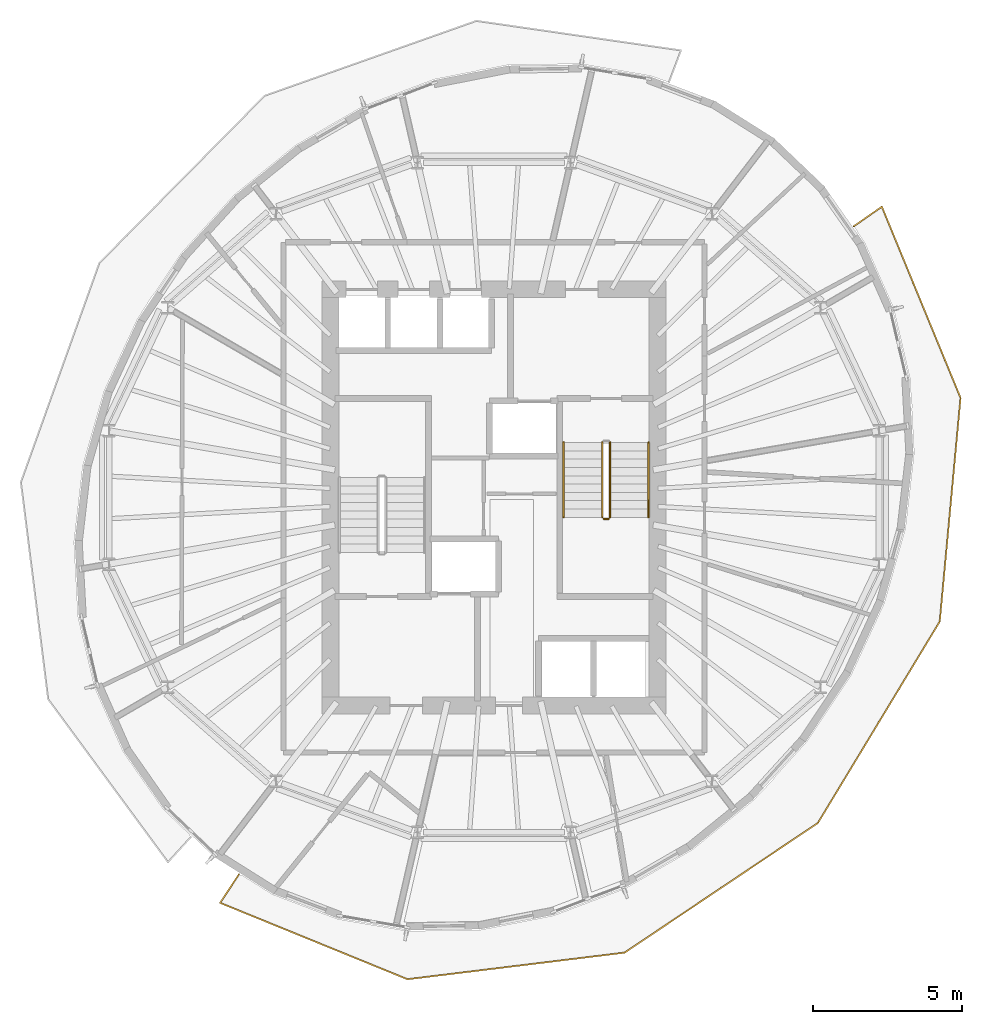
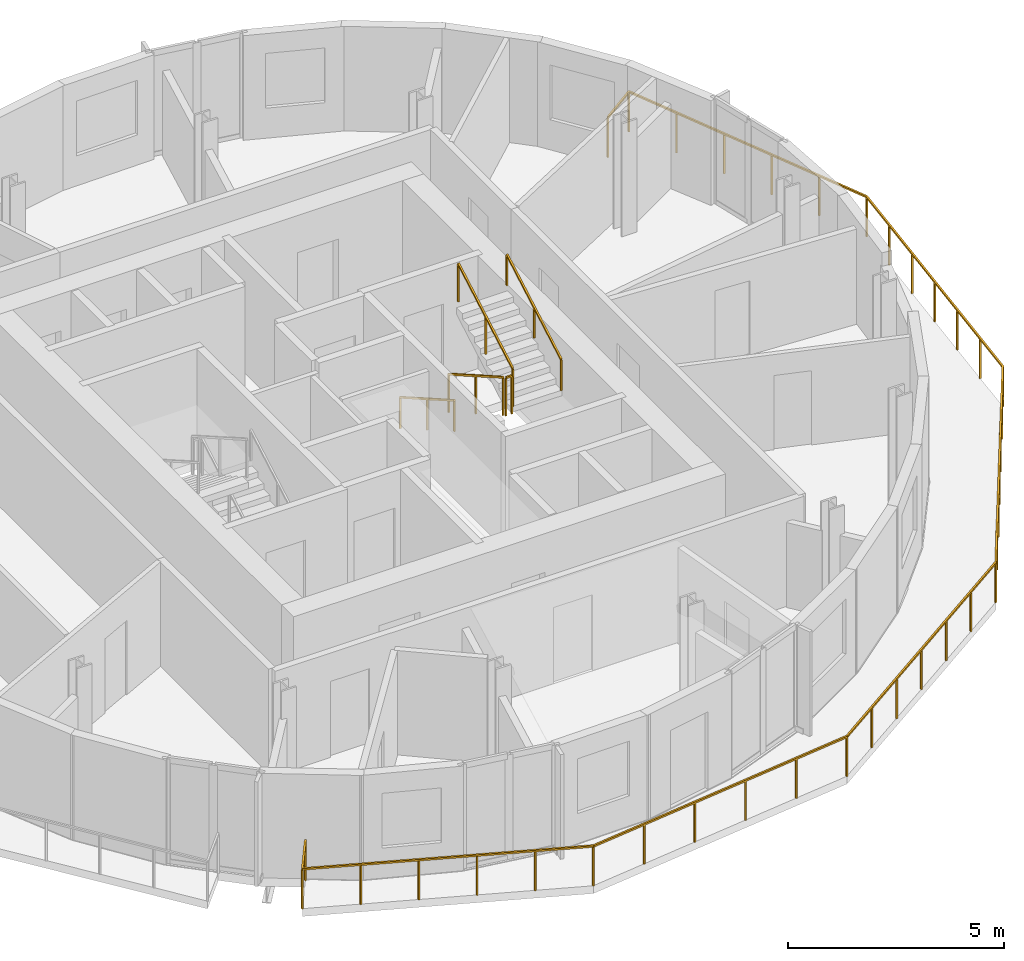
# One storey, part 9 of 11: 6 railings.
"""IFC4 building model written with IfcOpenShell, lengths in metres."""

from ifc_helpers import new_model, si_unit, direction, frame, origin, origin_2d, place, context, subcontext, project, spatial, rectangle, extrude, material, type_object, element, save


model = new_model("IFC4")

# Units and contexts
model_context = context("Model", 3, precision=1e-05, world=origin(), true_north=direction((0.0, 1.0)))
body_context = subcontext(model_context, "Body", "Model", "MODEL_VIEW")
ifc_project = project(units=[si_unit("LENGTHUNIT", "METRE"), si_unit("AREAUNIT", "SQUARE_METRE"), si_unit("VOLUMEUNIT", "CUBIC_METRE"), si_unit("PLANEANGLEUNIT", "RADIAN"), si_unit("MASSUNIT", "GRAM", prefix="KILO")], contexts=[model_context])

# Site, building, storey
site_placement = place(None, origin())
site = spatial("IfcSite", under=ifc_project, at=site_placement, CompositionType="ELEMENT")
building_placement = place(site_placement, origin())
building = spatial("IfcBuilding", under=site, at=building_placement, Name="Veldorim Arch Residences", CompositionType="ELEMENT")
storey_placement = place(building_placement, frame((0.0, 0.0, 207.840087890625)))
storey = spatial("IfcBuildingStorey", under=building, at=storey_placement, Name="L62", CompositionType="ELEMENT", Elevation=207.840087890625)

# Railings
ifc_material_1 = material(Name="Aluminium", Category="aluminium")
railing_type_1 = type_object("IfcRailingType", Name="Balcony & Terrace Laminated Glass Balustrade 1150", PredefinedType="BALUSTRADE", material=ifc_material_1)
railing_1_placement = place(storey_placement, frame((23.4189453125, 11.322021484375, 0.0)))
element("IfcRailing", 1, at=railing_1_placement, inside=storey, type_object=railing_type_1, Name="L62 crescent balcony safety balustrade B", PredefinedType="BALUSTRADE", context=body_context, shape_type="SweptSolid", body=[
    extrude(rectangle(XDim=0.048095703125, YDim=0.048095703125, at=origin_2d()), frame((0.0, 0.0, 1.1259765625), z_axis=(-0.552199056825, -0.833712301481, 0.0), x_axis=(0.833712301481, -0.552199056825, 0.0)), (0.0, 0.0, 1.0), 1.14990234375),
    extrude(rectangle(XDim=0.048095703125, YDim=0.048095703125, at=origin_2d()), frame((-0.635009765625, -0.958740234375, 1.1259765625), z_axis=(0.925988387631, -0.377551991085, 0.0), x_axis=(0.377551991085, 0.925988387631, 0.0)), (0.0, 0.0, 1.0), 6.80908203125),
    extrude(rectangle(XDim=0.048095703125, YDim=0.048095703125, at=origin_2d()), frame((5.670166015625, -3.529541015625, 1.1259765625), z_axis=(0.992572165472, 0.121657290492, 0.0), x_axis=(-0.121657290492, 0.992572165472, 0.0)), (0.0, 0.0, 1.0), 7.35693359375),
    extrude(rectangle(XDim=0.048095703125, YDim=0.048095703125, at=origin_2d()), frame((12.972412109375, -2.634521484375, 1.1259765625), z_axis=(0.830444899155, 0.557100771376, 0.0), x_axis=(-0.557100771376, 0.830444899155, 0.0)), (0.0, 0.0, 1.0), 7.831298828125),
    extrude(rectangle(XDim=0.048095703125, YDim=0.048095703125, at=origin_2d()), frame((19.475830078125, 1.728271484375, 1.1259765625), z_axis=(0.517611476294, 0.855615778027, 0.0), x_axis=(-0.855615778027, 0.517611476294, 0.0)), (0.0, 0.0, 1.0), 7.919189453125),
    extrude(rectangle(XDim=0.048095703125, YDim=0.048095703125, at=origin_2d()), frame((23.574951171875, 8.504150390625, 1.1259765625), z_axis=(0.092677012034, 0.995696224478, 0.0), x_axis=(-0.995696224478, 0.092677012034, 0.0)), (0.0, 0.0, 1.0), 7.55517578125),
    extrude(rectangle(XDim=0.048095703125, YDim=0.048095703125, at=origin_2d()), frame((24.275146484375, 16.02685546875, 1.1259765625), z_axis=(-0.380799230837, 0.924657745219, 0.0), x_axis=(-0.924657745219, -0.380799230837, 0.0)), (0.0, 0.0, 1.0), 6.956298828125),
    extrude(rectangle(XDim=0.048095703125, YDim=0.048095703125, at=origin_2d()), frame((21.626220703125, 22.458984375, 1.1259765625), z_axis=(-0.820407221135, -0.571779670424, 0.0), x_axis=(0.571779670424, -0.820407221135, 0.0)), (0.0, 0.0, 1.0), 1.14990234375),
    extrude(rectangle(XDim=0.0419921875, YDim=0.0419921875, at=origin_2d()), origin(), (0.0, 0.0, 1.0), 1.101806640625),
    extrude(rectangle(XDim=0.0419921875, YDim=0.0419921875, at=origin_2d()), frame((-0.635009765625, -0.958740234375, 0.0)), (0.0, 0.0, 1.0), 1.101806640625),
    extrude(rectangle(XDim=0.0419921875, YDim=0.0419921875, at=origin_2d()), frame((0.6259765625, -1.472900390625, 0.0)), (0.0, 0.0, 1.0), 1.101806640625),
    extrude(rectangle(XDim=0.0419921875, YDim=0.0419921875, at=origin_2d()), frame((1.886962890625, -1.987060546875, 0.0)), (0.0, 0.0, 1.0), 1.101806640625),
    extrude(rectangle(XDim=0.0419921875, YDim=0.0419921875, at=origin_2d()), frame((3.148193359375, -2.501220703125, 0.0)), (0.0, 0.0, 1.0), 1.101806640625),
    extrude(rectangle(XDim=0.0419921875, YDim=0.0419921875, at=origin_2d()), frame((4.4091796875, -3.015380859375, 0.0)), (0.0, 0.0, 1.0), 1.101806640625),
    extrude(rectangle(XDim=0.0419921875, YDim=0.0419921875, at=origin_2d()), frame((5.670166015625, -3.529541015625, 0.0)), (0.0, 0.0, 1.0), 1.101806640625),
    extrude(rectangle(XDim=0.0419921875, YDim=0.0419921875, at=origin_2d()), frame((7.130615234375, -3.3505859375, 0.0)), (0.0, 0.0, 1.0), 1.101806640625),
    extrude(rectangle(XDim=0.0419921875, YDim=0.0419921875, at=origin_2d()), frame((8.591064453125, -3.171630859375, 0.0)), (0.0, 0.0, 1.0), 1.101806640625),
    extrude(rectangle(XDim=0.0419921875, YDim=0.0419921875, at=origin_2d()), frame((10.051513671875, -2.992431640625, 0.0)), (0.0, 0.0, 1.0), 1.101806640625),
    extrude(rectangle(XDim=0.0419921875, YDim=0.0419921875, at=origin_2d()), frame((11.511962890625, -2.8134765625, 0.0)), (0.0, 0.0, 1.0), 1.101806640625),
    extrude(rectangle(XDim=0.0419921875, YDim=0.0419921875, at=origin_2d()), frame((12.972412109375, -2.634521484375, 0.0)), (0.0, 0.0, 1.0), 1.101806640625),
    extrude(rectangle(XDim=0.0419921875, YDim=0.0419921875, at=origin_2d()), frame((14.056396484375, -1.907470703125, 0.0)), (0.0, 0.0, 1.0), 1.101806640625),
    extrude(rectangle(XDim=0.0419921875, YDim=0.0419921875, at=origin_2d()), frame((15.14013671875, -1.18017578125, 0.0)), (0.0, 0.0, 1.0), 1.101806640625),
    extrude(rectangle(XDim=0.0419921875, YDim=0.0419921875, at=origin_2d()), frame((16.22412109375, -0.453125, 0.0)), (0.0, 0.0, 1.0), 1.101806640625),
    extrude(rectangle(XDim=0.0419921875, YDim=0.0419921875, at=origin_2d()), frame((17.30810546875, 0.27392578125, 0.0)), (0.0, 0.0, 1.0), 1.101806640625),
    extrude(rectangle(XDim=0.0419921875, YDim=0.0419921875, at=origin_2d()), frame((18.391845703125, 1.001220703125, 0.0)), (0.0, 0.0, 1.0), 1.101806640625),
    extrude(rectangle(XDim=0.0419921875, YDim=0.0419921875, at=origin_2d()), frame((19.475830078125, 1.728271484375, 0.0)), (0.0, 0.0, 1.0), 1.101806640625),
    extrude(rectangle(XDim=0.0419921875, YDim=0.0419921875, at=origin_2d()), frame((20.158935546875, 2.857666015625, 0.0)), (0.0, 0.0, 1.0), 1.101806640625),
    extrude(rectangle(XDim=0.0419921875, YDim=0.0419921875, at=origin_2d()), frame((20.84228515625, 3.98681640625, 0.0)), (0.0, 0.0, 1.0), 1.101806640625),
    extrude(rectangle(XDim=0.0419921875, YDim=0.0419921875, at=origin_2d()), frame((21.525390625, 5.1162109375, 0.0)), (0.0, 0.0, 1.0), 1.101806640625),
    extrude(rectangle(XDim=0.0419921875, YDim=0.0419921875, at=origin_2d()), frame((22.20849609375, 6.24560546875, 0.0)), (0.0, 0.0, 1.0), 1.101806640625),
    extrude(rectangle(XDim=0.0419921875, YDim=0.0419921875, at=origin_2d()), frame((22.891845703125, 7.374755859375, 0.0)), (0.0, 0.0, 1.0), 1.101806640625),
    extrude(rectangle(XDim=0.0419921875, YDim=0.0419921875, at=origin_2d()), frame((23.574951171875, 8.504150390625, 0.0)), (0.0, 0.0, 1.0), 1.101806640625),
    extrude(rectangle(XDim=0.0419921875, YDim=0.0419921875, at=origin_2d()), frame((23.691650390625, 9.7578125, 0.0)), (0.0, 0.0, 1.0), 1.101806640625),
    extrude(rectangle(XDim=0.0419921875, YDim=0.0419921875, at=origin_2d()), frame((23.808349609375, 11.01171875, 0.0)), (0.0, 0.0, 1.0), 1.101806640625),
    extrude(rectangle(XDim=0.0419921875, YDim=0.0419921875, at=origin_2d()), frame((23.925048828125, 12.265625, 0.0)), (0.0, 0.0, 1.0), 1.101806640625),
    extrude(rectangle(XDim=0.0419921875, YDim=0.0419921875, at=origin_2d()), frame((24.041748046875, 13.519287109375, 0.0)), (0.0, 0.0, 1.0), 1.101806640625),
    extrude(rectangle(XDim=0.0419921875, YDim=0.0419921875, at=origin_2d()), frame((24.158447265625, 14.77294921875, 0.0)), (0.0, 0.0, 1.0), 1.101806640625),
    extrude(rectangle(XDim=0.0419921875, YDim=0.0419921875, at=origin_2d()), frame((24.275146484375, 16.02685546875, 0.0)), (0.0, 0.0, 1.0), 1.101806640625),
    extrude(rectangle(XDim=0.0419921875, YDim=0.0419921875, at=origin_2d()), frame((23.745361328125, 17.313232421875, 0.0)), (0.0, 0.0, 1.0), 1.101806640625),
    extrude(rectangle(XDim=0.0419921875, YDim=0.0419921875, at=origin_2d()), frame((23.215576171875, 18.599609375, 0.0)), (0.0, 0.0, 1.0), 1.101806640625),
    extrude(rectangle(XDim=0.0419921875, YDim=0.0419921875, at=origin_2d()), frame((22.685791015625, 19.88623046875, 0.0)), (0.0, 0.0, 1.0), 1.101806640625),
    extrude(rectangle(XDim=0.0419921875, YDim=0.0419921875, at=origin_2d()), frame((22.156005859375, 21.172607421875, 0.0)), (0.0, 0.0, 1.0), 1.101806640625),
    extrude(rectangle(XDim=0.0419921875, YDim=0.0419921875, at=origin_2d()), frame((21.626220703125, 22.458984375, 0.0)), (0.0, 0.0, 1.0), 1.101806640625),
    extrude(rectangle(XDim=0.0419921875, YDim=0.0419921875, at=origin_2d()), frame((20.682861328125, 21.801513671875, 0.0)), (0.0, 0.0, 1.0), 1.101806640625),
])
ifc_material_2 = material(Name="Steel S355", Category="steel")
railing_type_2 = type_object("IfcRailingType", Name="Galvanised Steel Stair Safety Guardrail 1100", PredefinedType="GUARDRAIL", material=ifc_material_2)
railing_2_placement = place(storey_placement, frame((35.639892578125, 25.85009765625, 0.159912109375)))
element("IfcRailing", 2, at=railing_2_placement, inside=storey, type_object=railing_type_2, Name="L62 ST-2 stair guard 1", PredefinedType="GUARDRAIL", context=body_context, shape_type="SweptSolid", body=[
    extrude(rectangle(XDim=0.048095703125, YDim=0.048095703125, at=origin_2d()), frame((0.0, 0.0, 1.076171875), z_axis=(0.0, -0.868253494771, 0.496120820787), x_axis=(1.0, 0.0, 0.0)), (0.0, 0.0, 1.0), 2.90234375),
    extrude(rectangle(XDim=0.0419921875, YDim=0.0419921875, at=origin_2d()), origin(), (0.0, 0.0, 1.0), 1.052001953125),
    extrude(rectangle(XDim=0.0419921875, YDim=0.0419921875, at=origin_2d()), frame((0.0, -1.260009765625, 0.719970703125)), (0.0, 0.0, 1.0), 1.052001953125),
    extrude(rectangle(XDim=0.0419921875, YDim=0.0419921875, at=origin_2d()), frame((0.0, -2.52001953125, 1.43994140625)), (0.0, 0.0, 1.0), 1.052001953125),
])
railing_3_placement = place(storey_placement, frame((35.68994140625, 23.280029296875, 1.599853515625)))
element("IfcRailing", 3, at=railing_3_placement, inside=storey, type_object=railing_type_2, Name="L62 ST-2 stair guard 2", PredefinedType="GUARDRAIL", context=body_context, shape_type="SweptSolid", body=[
    extrude(rectangle(XDim=0.048095703125, YDim=0.048095703125, at=origin_2d()), frame((0.0, 0.0, 1.076171875), z_axis=(1.0, 0.0, 0.0), x_axis=(0.0, 1.0, 0.0)), (0.0, 0.0, 1.0), 0.16015625),
    extrude(rectangle(XDim=0.0419921875, YDim=0.0419921875, at=origin_2d()), origin(), (0.0, 0.0, 1.0), 1.052001953125),
    extrude(rectangle(XDim=0.0419921875, YDim=0.0419921875, at=origin_2d()), frame((0.16015625, 0.0, 0.0)), (0.0, 0.0, 1.0), 1.052001953125),
])
railing_4_placement = place(storey_placement, frame((35.89990234375, 23.330078125, 1.760009765625)))
element("IfcRailing", 4, at=railing_4_placement, inside=storey, type_object=railing_type_2, Name="L62 ST-2 stair guard 3", PredefinedType="GUARDRAIL", context=body_context, shape_type="SweptSolid", body=[
    extrude(rectangle(XDim=0.048095703125, YDim=0.048095703125, at=origin_2d()), frame((0.0, 0.0, 1.076171875), z_axis=(0.0, 0.868253494771, 0.496120820787), x_axis=(-1.0, 0.0, 0.0)), (0.0, 0.0, 1.0), 2.90234375),
    extrude(rectangle(XDim=0.0419921875, YDim=0.0419921875, at=origin_2d()), origin(), (0.0, 0.0, 1.0), 1.052001953125),
    extrude(rectangle(XDim=0.0419921875, YDim=0.0419921875, at=origin_2d()), frame((0.0, 1.260009765625, 0.719970703125)), (0.0, 0.0, 1.0), 1.052001953125),
    extrude(rectangle(XDim=0.0419921875, YDim=0.0419921875, at=origin_2d()), frame((0.0, 2.52001953125, 1.43994140625)), (0.0, 0.0, 1.0), 1.052001953125),
])
ifc_material_3 = material(Name="Stainless Steel", Category="steel")
railing_type_3 = type_object("IfcRailingType", Name="Tubular Steel Continuous Wall Handrail 900", PredefinedType="HANDRAIL", material=ifc_material_3)
railing_5_placement = place(storey_placement, frame((34.340087890625, 25.85009765625, 0.159912109375)))
element("IfcRailing", 5, at=railing_5_placement, inside=storey, type_object=railing_type_3, Name="L62 ST-2 stair handrail 1", PredefinedType="HANDRAIL", context=body_context, shape_type="SweptSolid", body=[
    extrude(rectangle(XDim=0.048095703125, YDim=0.048095703125, at=origin_2d()), frame((0.0, 0.0, 0.8759765625), z_axis=(0.0, -0.868253494771, 0.496120820787), x_axis=(1.0, 0.0, 0.0)), (0.0, 0.0, 1.0), 2.90234375),
    extrude(rectangle(XDim=0.0419921875, YDim=0.0419921875, at=origin_2d()), origin(), (0.0, 0.0, 1.0), 0.851806640625),
    extrude(rectangle(XDim=0.0419921875, YDim=0.0419921875, at=origin_2d()), frame((0.0, -1.260009765625, 0.719970703125)), (0.0, 0.0, 1.0), 0.851806640625),
    extrude(rectangle(XDim=0.0419921875, YDim=0.0419921875, at=origin_2d()), frame((0.0, -2.52001953125, 1.43994140625)), (0.0, 0.0, 1.0), 0.851806640625),
])
railing_6_placement = place(storey_placement, frame((37.199951171875, 23.330078125, 1.760009765625)))
element("IfcRailing", 6, at=railing_6_placement, inside=storey, type_object=railing_type_3, Name="L62 ST-2 stair handrail 2", PredefinedType="HANDRAIL", context=body_context, shape_type="SweptSolid", body=[
    extrude(rectangle(XDim=0.048095703125, YDim=0.048095703125, at=origin_2d()), frame((0.0, 0.0, 0.8759765625), z_axis=(0.0, 0.868253494771, 0.496120820787), x_axis=(-1.0, 0.0, 0.0)), (0.0, 0.0, 1.0), 2.90234375),
    extrude(rectangle(XDim=0.0419921875, YDim=0.0419921875, at=origin_2d()), origin(), (0.0, 0.0, 1.0), 0.851806640625),
    extrude(rectangle(XDim=0.0419921875, YDim=0.0419921875, at=origin_2d()), frame((0.0, 1.260009765625, 0.719970703125)), (0.0, 0.0, 1.0), 0.851806640625),
    extrude(rectangle(XDim=0.0419921875, YDim=0.0419921875, at=origin_2d()), frame((0.0, 2.52001953125, 1.43994140625)), (0.0, 0.0, 1.0), 0.851806640625),
])

save(model, "model.ifc")
